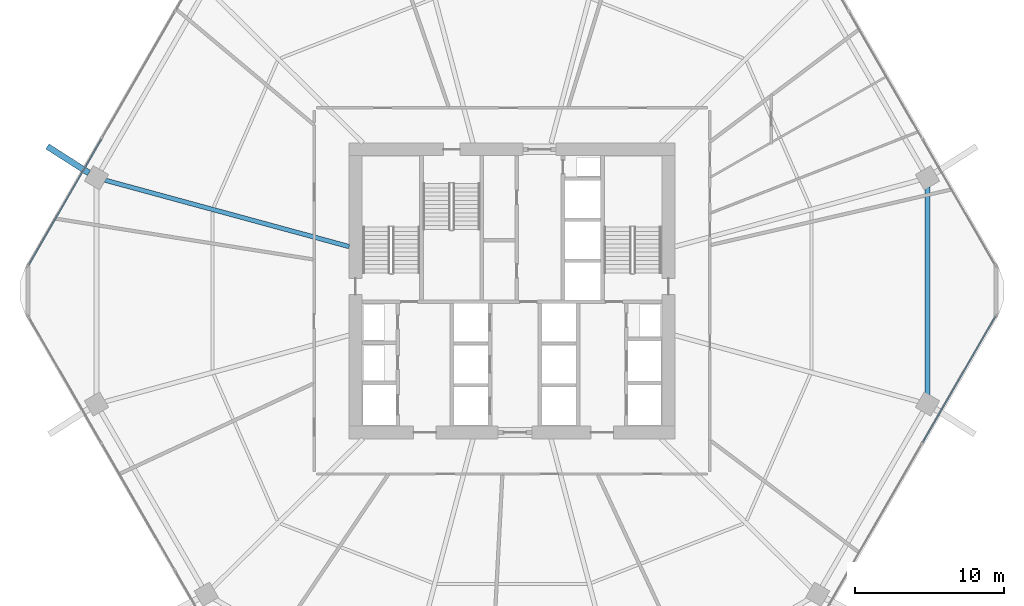
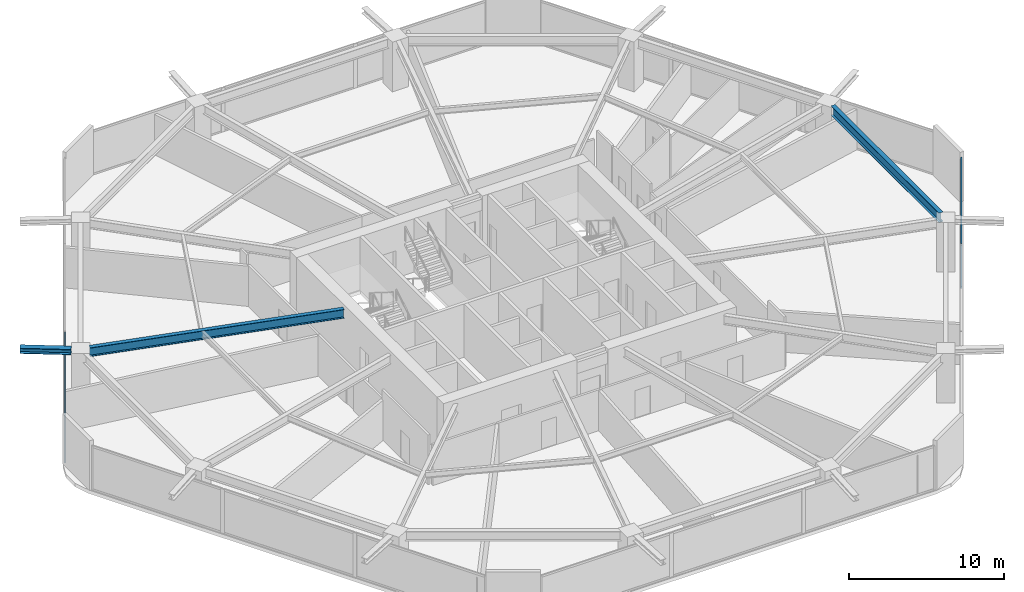
# One storey, part 12 of 25: 4 members, 3 beams, 2 elements without a shape of their own.
"""IFC4 building model written with IfcOpenShell, lengths in metres."""

from ifc_helpers import new_model, si_unit, direction, frame, origin, origin_2d, place, context, subcontext, project, spatial, hollow_rectangle, i_section, extrude, material, material_profile, profile_set, type_object, element, aggregate, save


model = new_model("IFC4")

# Units and contexts
model_context = context("Model", 3, precision=1e-05, world=origin(), true_north=direction((0.0, 1.0)))
body_context = subcontext(model_context, "Body", "Model", "MODEL_VIEW")
ifc_project = project(units=[si_unit("LENGTHUNIT", "METRE"), si_unit("AREAUNIT", "SQUARE_METRE"), si_unit("VOLUMEUNIT", "CUBIC_METRE"), si_unit("PLANEANGLEUNIT", "RADIAN"), si_unit("MASSUNIT", "GRAM", prefix="KILO")], contexts=[model_context])

# Site, building, storey
site_placement = place(None, origin())
site = spatial("IfcSite", under=ifc_project, at=site_placement, CompositionType="ELEMENT")
building_placement = place(site_placement, origin())
building = spatial("IfcBuilding", under=site, at=building_placement, Name="Zuhravey Tower", CompositionType="ELEMENT")
storey_placement = place(building_placement, frame((0.0, 0.0, 45.60009765625)))
storey = spatial("IfcBuildingStorey", under=building, at=storey_placement, Name="L11", CompositionType="ELEMENT", Elevation=45.60009765625)

# Curtain wall, members
ifc_material_1 = material(Name="Thermally broken anodised aluminium", Category="aluminium")
curtain_wall_type = type_object("IfcCurtainWallType", Name="School Low-E Unitised Curtain Wall CW1", PredefinedType="NOTDEFINED", material=ifc_material_1)
curtain_wall_1_placement = place(storey_placement, origin())
curtain_wall_1 = element("IfcCurtainWall", 1, at=curtain_wall_1_placement, inside=storey, type_object=curtain_wall_type, Name="L11 CW1 CW-L11-F6-1", PredefinedType="NOTDEFINED")
ifc_material_2 = material(Name="Anodised aluminium", Category="aluminium")
ifc_material_profile_1 = material_profile(ifc_material_2, hollow_rectangle(XDim=0.090087890625, YDim=0.14990234375, WallThickness=0.0048828125, at=origin_2d()), Name="ALU-RHS-90x150x5")
ifc_profile_set_1 = profile_set([ifc_material_profile_1], Name="Anodised aluminium")
member_type = type_object("IfcMemberType", Name="Curtain-Wall Transom 90x150", PredefinedType="USERDEFINED", material=ifc_profile_set_1)
member_1_placement = place(storey_placement, frame((68.43359375, 30.259521484375, 0.044921875), z_axis=(-0.500008393077, -0.866020557985, 0.0), x_axis=(0.866020557985, -0.500008393077, 0.0)))
member_1 = element("IfcMember", 2, at=member_1_placement, type_object=member_type, Name="CW1 transom 1.1", ObjectType="TRANSOM", PredefinedType="USERDEFINED", context=body_context, shape_type="SweptSolid", body=[
    extrude(hollow_rectangle(XDim=0.090087890625, YDim=0.14990234375, WallThickness=0.0048828125, at=origin_2d()), origin(), (0.0, 0.0, 1.0), 9.731201171875),
])
member_2_placement = place(storey_placement, frame((68.43359375, 30.259521484375, 3.447021484375), z_axis=(-0.500008393077, -0.866020557985, 0.0), x_axis=(0.866020557985, -0.500008393077, 0.0)))
member_2 = element("IfcMember", 3, at=member_2_placement, type_object=member_type, Name="CW1 transom 1.2", ObjectType="TRANSOM", PredefinedType="USERDEFINED", context=body_context, shape_type="SweptSolid", body=[
    extrude(hollow_rectangle(XDim=0.090087890625, YDim=0.14990234375, WallThickness=0.0048828125, at=origin_2d()), origin(), (0.0, 0.0, 1.0), 9.731201171875),
])
aggregate(curtain_wall_1, [member_1, member_2])

curtain_wall_2_placement = place(storey_placement, origin())
curtain_wall_2 = element("IfcCurtainWall", 4, at=curtain_wall_2_placement, inside=storey, type_object=curtain_wall_type, Name="L11 CW1 CW-L11-F3-1", PredefinedType="NOTDEFINED")
member_3_placement = place(storey_placement, frame((3.56640625, 33.740478515625, 0.044921875), z_axis=(0.500008393077, 0.866020557985, 0.0), x_axis=(-0.866020557985, 0.500008393077, 0.0)))
member_3 = element("IfcMember", 5, at=member_3_placement, type_object=member_type, Name="CW1 transom 1.1", ObjectType="TRANSOM", PredefinedType="USERDEFINED", context=body_context, shape_type="SweptSolid", body=[
    extrude(hollow_rectangle(XDim=0.090087890625, YDim=0.14990234375, WallThickness=0.0048828125, at=origin_2d()), origin(), (0.0, 0.0, 1.0), 9.731201171875),
])
member_4_placement = place(storey_placement, frame((3.56640625, 33.740478515625, 3.447021484375), z_axis=(0.500008393077, 0.866020557985, 0.0), x_axis=(-0.866020557985, 0.500008393077, 0.0)))
member_4 = element("IfcMember", 6, at=member_4_placement, type_object=member_type, Name="CW1 transom 1.2", ObjectType="TRANSOM", PredefinedType="USERDEFINED", context=body_context, shape_type="SweptSolid", body=[
    extrude(hollow_rectangle(XDim=0.090087890625, YDim=0.14990234375, WallThickness=0.0048828125, at=origin_2d()), origin(), (0.0, 0.0, 1.0), 9.731201171875),
])
aggregate(curtain_wall_2, [member_3, member_4])

# Beams
ifc_material_3 = material(Name="Steel SM460", Category="steel")
ifc_material_profile_2 = material_profile(ifc_material_3, i_section(OverallWidth=0.406982421875, OverallDepth=0.427978515625, WebThickness=0.02001953125, FlangeThickness=0.034912109375, at=origin_2d()), Name="H-428x407x20x35")
ifc_profile_set_2 = profile_set([ifc_material_profile_2], Name="Steel SM460")
beam_type_1 = type_object("IfcBeamType", Name="Exoskeleton Node Tie Beam H428x407", PredefinedType="BEAM", material=ifc_profile_set_2)
beam_1_placement = place(storey_placement, frame((7.601318359375, 39.9169921875, 3.705810546875), z_axis=(-0.842680429426, 0.538414054295, 0.0), x_axis=(-0.538414054295, -0.842680429426, 0.0)))
element("IfcBeam", 7, at=beam_1_placement, inside=storey, type_object=beam_type_1, Name="L11 Exoskeleton Node Tie NT1-06", PredefinedType="BEAM", context=body_context, shape_type="SweptSolid", body=[
    extrude(i_section(OverallWidth=0.406982421875, OverallDepth=0.427978515625, WebThickness=0.02001953125, FlangeThickness=0.034912109375, at=origin_2d()), origin(), (0.0, 0.0, 1.0), 3.30419921875),
])
ifc_material_4 = material(Name="Steel SM355", Category="steel")
ifc_material_profile_3 = material_profile(ifc_material_4, i_section(OverallWidth=0.320068359375, OverallDepth=0.75, WebThickness=0.013916015625, FlangeThickness=0.02490234375, at=origin_2d()), Name="H-750x320x14x25")
ifc_profile_set_3 = profile_set([ifc_material_profile_3], Name="Steel SM355")
beam_type_2 = type_object("IfcBeamType", Name="Perimeter Ring Beam H750x320", PredefinedType="BEAM", material=ifc_profile_set_3)
beam_2_placement = place(storey_placement, frame((63.88916015625, 25.011474609375, 3.544921875), z_axis=(0.0, 1.0, 0.0), x_axis=(-1.0, 0.0, 0.0)))
element("IfcBeam", 8, at=beam_2_placement, inside=storey, type_object=beam_type_2, Name="L11 PB1 BM-L11-PB-12", PredefinedType="BEAM", context=body_context, shape_type="SweptSolid", body=[
    extrude(i_section(OverallWidth=0.320068359375, OverallDepth=0.75, WebThickness=0.013916015625, FlangeThickness=0.02490234375, at=origin_2d()), origin(), (0.0, 0.0, 1.0), 13.97705078125),
])
ifc_material_profile_4 = material_profile(ifc_material_4, i_section(OverallWidth=0.300048828125, OverallDepth=0.699951171875, WebThickness=0.012939453125, FlangeThickness=0.02392578125, at=origin_2d()), Name="H-700x300x13x24")
ifc_profile_set_4 = profile_set([ifc_material_profile_4], Name="Steel SM355")
beam_type_3 = type_object("IfcBeamType", Name="Radial Primary Girder H700x300", PredefinedType="BEAM", material=ifc_profile_set_4)
beam_3_placement = place(storey_placement, frame((25.072021484375, 34.974609375, 3.56982421875), z_axis=(-0.964892480455, 0.26264520015, 0.0), x_axis=(-0.26264520015, -0.964892480455, 0.0)))
element("IfcBeam", 9, at=beam_3_placement, inside=storey, type_object=beam_type_3, Name="L11 RG1 BM-L11-RAD-06", PredefinedType="BEAM", context=body_context, shape_type="SweptSolid", body=[
    extrude(i_section(OverallWidth=0.300048828125, OverallDepth=0.699951171875, WebThickness=0.012939453125, FlangeThickness=0.02392578125, at=origin_2d()), origin(), (0.0, 0.0, 1.0), 16.975341796875),
])

save(model, "model.ifc")
